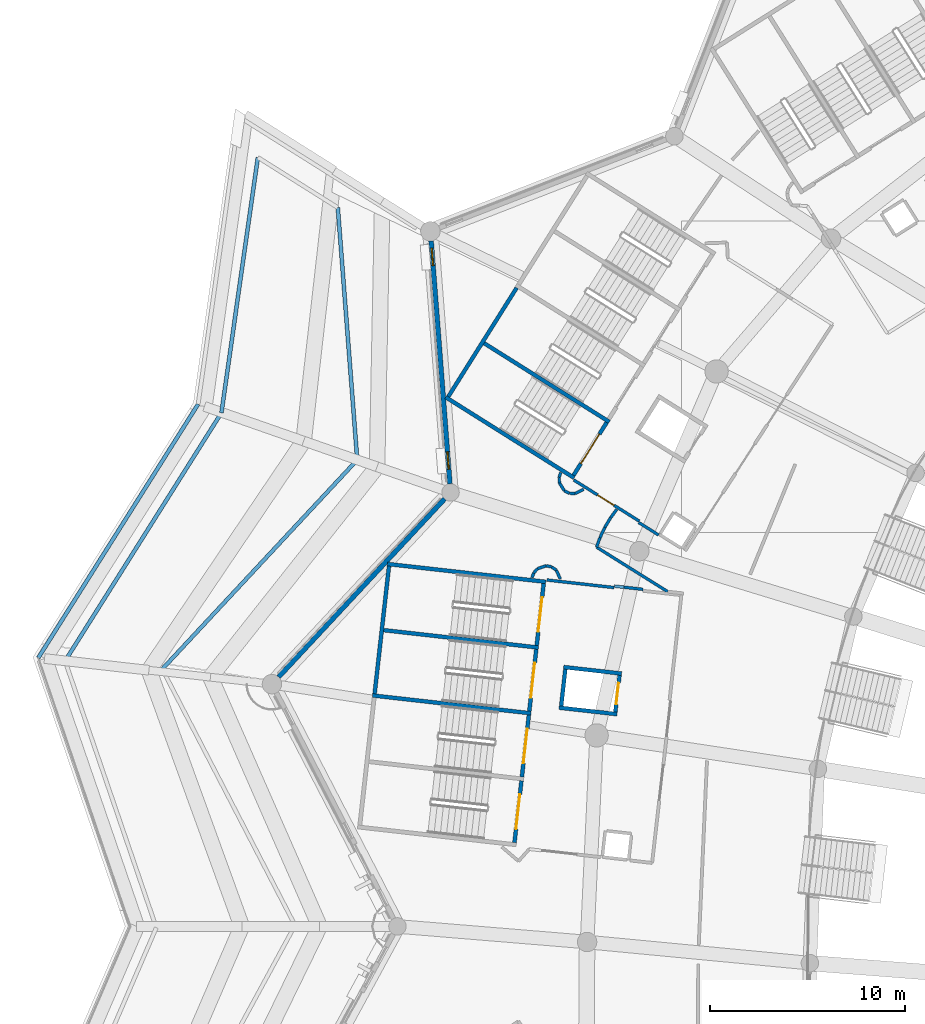
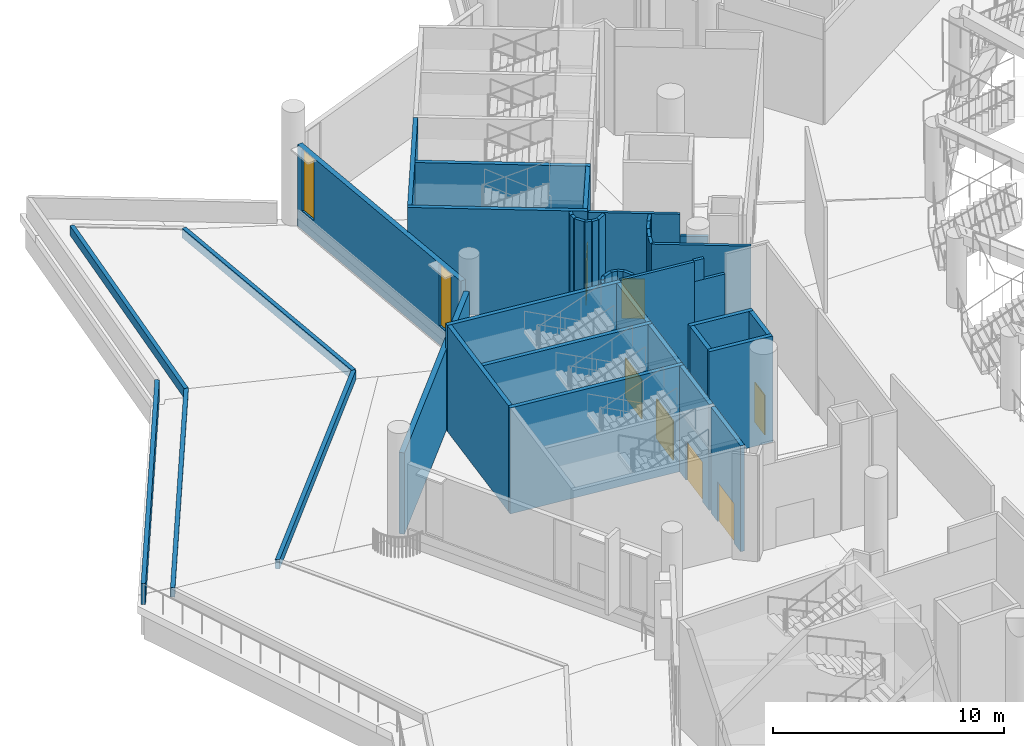
# One storey, part 63 of 173: 45 walls, 7 doors, 2 windows, 9 openings.
"""IFC4 building model written with IfcOpenShell, lengths in metres."""

from ifc_helpers import new_model, si_unit, direction, frame, frame_2d, origin, place, context, subcontext, project, spatial, rectangle, extrude, material, layer, layer_set, type_object, element, fill, save


model = new_model("IFC4")

# Units and contexts
model_context = context("Model", 3, precision=1e-05, world=origin(), true_north=direction((0.0, 1.0)))
body_context = subcontext(model_context, "Body", "Model", "MODEL_VIEW")
ifc_project = project(units=[si_unit("LENGTHUNIT", "METRE"), si_unit("AREAUNIT", "SQUARE_METRE"), si_unit("VOLUMEUNIT", "CUBIC_METRE"), si_unit("PLANEANGLEUNIT", "RADIAN"), si_unit("MASSUNIT", "GRAM", prefix="KILO")], contexts=[model_context])

# Site, building, storey
site_placement = place(None, origin())
site = spatial("IfcSite", under=ifc_project, at=site_placement, CompositionType="ELEMENT")
building_placement = place(site_placement, origin())
building = spatial("IfcBuilding", under=site, at=building_placement, Name="Meseta Stadium", CompositionType="ELEMENT")
storey_placement = place(building_placement, frame((0.0, 0.0, 18.0)))
storey = spatial("IfcBuildingStorey", under=building, at=storey_placement, Name="L03", CompositionType="ELEMENT", Elevation=18.0)

# Walls
ifc_material_1 = material(Name="Concrete C40/50", Category="concrete")
ifc_layer_1 = layer(ifc_material_1, 0.199951171875)
ifc_layer_set_1 = layer_set([ifc_layer_1], Name="Core divider wall 200")
wall_type_1 = type_object("IfcWallType", Name="Core divider wall 200", PredefinedType="SHEAR", material=ifc_layer_set_1)
wall_1_placement = place(storey_placement, frame((-90.314453125, 73.8291015625, 0.0), z_axis=(0.0, 0.0, 1.0), x_axis=(0.846722763703, -0.532034361135, 0.0)))
element("IfcWall", 1, at=wall_1_placement, inside=storey, type_object=wall_type_1, Name="Core 14 L03 stair B divider wall", PredefinedType="SHEAR", context=body_context, shape_type="SweptSolid", body=[
    extrude(rectangle(XDim=7.800048828125, YDim=0.199951171875, at=frame_2d((3.89990234375, 0.0))), origin(), (0.0, 0.0, 1.0), 5.60009765625),
])
wall_2_placement = place(storey_placement, frame((-95.503662109375, 58.999267578125, 0.0), z_axis=(0.0, 0.0, 1.0), x_axis=(0.993710792168, -0.111977058046, 0.0)))
element("IfcWall", 2, at=wall_2_placement, inside=storey, type_object=wall_type_1, Name="Core 15 L03 stair A divider wall", PredefinedType="SHEAR", context=body_context, shape_type="SweptSolid", body=[
    extrude(rectangle(XDim=8.199951171875, YDim=0.199951171875, at=frame_2d((4.10009765625, 0.0))), origin(), (0.0, 0.0, 1.0), 5.60009765625),
])
ifc_material_2 = material(Name="Concrete C40/50", Category="concrete")
ifc_layer_2 = layer(ifc_material_2, 0.199951171875)
ifc_layer_set_2 = layer_set([ifc_layer_2], Name="Core shaft wall 200")
wall_type_2 = type_object("IfcWallType", Name="Core shaft wall 200", PredefinedType="SHEAR", material=ifc_layer_set_2)
wall_3_placement = place(storey_placement, frame((-92.123291015625, 70.9501953125, 0.0), z_axis=(0.0, 0.0, 1.0), x_axis=(0.846722763703, -0.532034361135, 0.0)))
element("IfcWall", 3, at=wall_3_placement, inside=storey, type_object=wall_type_2, Name="Core 14 L03 stair wall B-side", PredefinedType="SHEAR", context=body_context, shape_type="SweptSolid", body=[
    extrude(rectangle(XDim=7.800048828125, YDim=0.199951171875, at=frame_2d((3.89990234375, 0.0))), origin(), (0.0, 0.0, 1.0), 5.60009765625),
])
wall_4_placement = place(storey_placement, frame((-88.47412109375, 76.570068359375, 0.0), z_axis=(0.0, 0.0, 1.0), x_axis=(-0.532038964807, -0.846719870989, 0.0)))
element("IfcWall", 4, at=wall_4_placement, inside=storey, type_object=wall_type_2, Name="Core 14 L03 stair B outer end wall", PredefinedType="SHEAR", context=body_context, shape_type="SweptSolid", body=[
    extrude(rectangle(XDim=6.60009765625, YDim=0.199951171875, at=frame_2d((3.300048828125, 0.0))), origin(), (0.0, 0.0, 1.0), 5.60009765625),
])

# Wall, opening, door
wall_5_placement = place(storey_placement, frame((-83.847900390625, 69.647705078125, 0.0), z_axis=(0.0, 0.0, 1.0), x_axis=(-0.532013720158, -0.846735733015, 0.0)))
wall_5 = element("IfcWall", 5, at=wall_5_placement, inside=storey, type_object=wall_type_2, Name="Core 14 L03 stair B2 inner end wall", PredefinedType="SHEAR", context=body_context, shape_type="SweptSolid", body=[
    extrude(rectangle(XDim=3.199951171875, YDim=0.199951171875, at=frame_2d((1.60009765625, 0.0))), origin(), (0.0, 0.0, 1.0), 5.60009765625),
])
opening_1_placement = place(wall_5_placement, frame((0.699951171875, 0.0, 0.0)))
opening_1 = element("IfcOpeningElement", 6, at=opening_1_placement, cuts=wall_5, Name="Opening D1312", PredefinedType="OPENING", context=body_context, shape_type="SweptSolid", body=[
    extrude(rectangle(XDim=1.800048828125, YDim=2.10009765625, at=frame_2d((0.89990234375, 1.050048828125))), frame((0.0, 0.10986328125, 0.0), z_axis=(0.0, -1.0, 0.0), x_axis=(1.0, 0.0, 0.0)), (0.0, 0.0, 1.0), 0.219970703125),
])
ifc_material_3 = material(Name="Steel", Category="steel")
door_type_1 = type_object("IfcDoorType", Name="Stair door 1800x2100", OperationType="DOUBLE_DOOR_SINGLE_SWING", PredefinedType="DOOR", material=ifc_material_3)
door_1_placement = place(opening_1_placement, origin())
door_1 = element("IfcDoor", 7, at=door_1_placement, inside=storey, type_object=door_type_1, Name="Stair B2 door 14 L03", OperationType="DOUBLE_DOOR_SINGLE_SWING", OverallHeight=2.10009765625, OverallWidth=1.800048828125, PredefinedType="DOOR", context=body_context, shape_type="SweptSolid", body=[
    extrude(rectangle(XDim=1.800048828125, YDim=2.10009765625, at=frame_2d((0.89990234375, 1.050048828125))), frame((0.0, 0.02490234375, 0.0), z_axis=(0.0, -1.0, 0.0), x_axis=(1.0, 0.0, 0.0)), (0.0, 0.0, 1.0), 0.050048828125),
])
fill(opening_1, door_1)

# Walls
wall_6_placement = place(storey_placement, frame((-95.123046875, 62.3779296875, 0.0), z_axis=(0.0, 0.0, 1.0), x_axis=(0.993710792168, -0.111977058046, 0.0)))
element("IfcWall", 8, at=wall_6_placement, inside=storey, type_object=wall_type_2, Name="Core 15 L03 stair wall A-side", PredefinedType="SHEAR", context=body_context, shape_type="SweptSolid", body=[
    extrude(rectangle(XDim=8.199951171875, YDim=0.199951171875, at=frame_2d((4.10009765625, 0.0))), origin(), (0.0, 0.0, 1.0), 5.60009765625),
])
wall_7_placement = place(storey_placement, frame((-95.884521484375, 55.62060546875, 0.0), z_axis=(0.0, 0.0, 1.0), x_axis=(0.993711165474, -0.111973745194, 0.0)))
element("IfcWall", 9, at=wall_7_placement, inside=storey, type_object=wall_type_2, Name="Core 15 L03 stair wall shared", PredefinedType="SHEAR", context=body_context, shape_type="SweptSolid", body=[
    extrude(rectangle(XDim=8.2001953125, YDim=0.199951171875, at=frame_2d((4.10009765625, 0.0))), origin(), (0.0, 0.0, 1.0), 5.60009765625),
])
wall_8_placement = place(storey_placement, frame((-95.034912109375, 62.267333984375, 0.0), z_axis=(0.0, 0.0, 1.0), x_axis=(-0.111933579504, -0.993715690617, 0.0)))
element("IfcWall", 10, at=wall_8_placement, inside=storey, type_object=wall_type_2, Name="Core 15 L03 stair A outer end wall", PredefinedType="SHEAR", context=body_context, shape_type="SweptSolid", body=[
    extrude(rectangle(XDim=6.60009765625, YDim=0.199951171875, at=frame_2d((3.300048828125, 0.0))), origin(), (0.0, 0.0, 1.0), 5.60009765625),
])

# Wall, opening, door
wall_9_placement = place(storey_placement, frame((-87.085205078125, 61.37158203125, 0.0), z_axis=(0.0, 0.0, 1.0), x_axis=(-0.11192190762, -0.993717005286, 0.0)))
wall_9 = element("IfcWall", 11, at=wall_9_placement, inside=storey, type_object=wall_type_2, Name="Core 15 L03 stair A1 inner end wall", PredefinedType="SHEAR", context=body_context, shape_type="SweptSolid", body=[
    extrude(rectangle(XDim=3.199951171875, YDim=0.199951171875, at=frame_2d((1.60009765625, 0.0))), origin(), (0.0, 0.0, 1.0), 5.60009765625),
])
opening_2_placement = place(wall_9_placement, frame((0.699951171875, 0.0, 0.0)))
opening_2 = element("IfcOpeningElement", 12, at=opening_2_placement, cuts=wall_9, Name="Opening D1299", PredefinedType="OPENING", context=body_context, shape_type="SweptSolid", body=[
    extrude(rectangle(XDim=1.800048828125, YDim=2.10009765625, at=frame_2d((0.89990234375, 1.050048828125))), frame((0.0, 0.10986328125, 0.0), z_axis=(0.0, -1.0, 0.0), x_axis=(1.0, 0.0, 0.0)), (0.0, 0.0, 1.0), 0.219970703125),
])
door_2_placement = place(opening_2_placement, origin())
door_2 = element("IfcDoor", 13, at=door_2_placement, inside=storey, type_object=door_type_1, Name="Stair A1 door 15 L03", OperationType="DOUBLE_DOOR_SINGLE_SWING", OverallHeight=2.10009765625, OverallWidth=1.800048828125, PredefinedType="DOOR", context=body_context, shape_type="SweptSolid", body=[
    extrude(rectangle(XDim=1.800048828125, YDim=2.10009765625, at=frame_2d((0.89990234375, 1.050048828125))), frame((0.0, 0.02490234375, 0.0), z_axis=(0.0, -1.0, 0.0), x_axis=(1.0, 0.0, 0.0)), (0.0, 0.0, 1.0), 0.050048828125),
])
fill(opening_2, door_2)

wall_10_placement = place(storey_placement, frame((-87.4658203125, 57.992919921875, 0.0), z_axis=(0.0, 0.0, 1.0), x_axis=(-0.111997244021, -0.993708517288, 0.0)))
wall_10 = element("IfcWall", 14, at=wall_10_placement, inside=storey, type_object=wall_type_2, Name="Core 15 L03 stair A2 inner end wall", PredefinedType="SHEAR", context=body_context, shape_type="SweptSolid", body=[
    extrude(rectangle(XDim=3.199951171875, YDim=0.199951171875, at=frame_2d((1.60009765625, 0.0))), origin(), (0.0, 0.0, 1.0), 5.60009765625),
])
opening_3_placement = place(wall_10_placement, frame((0.699951171875, 0.0, 0.0)))
opening_3 = element("IfcOpeningElement", 15, at=opening_3_placement, cuts=wall_10, Name="Opening D1297", PredefinedType="OPENING", context=body_context, shape_type="SweptSolid", body=[
    extrude(rectangle(XDim=1.800048828125, YDim=2.10009765625, at=frame_2d((0.89990234375, 1.050048828125))), frame((0.0, 0.10986328125, 0.0), z_axis=(0.0, -1.0, 0.0), x_axis=(1.0, 0.0, 0.0)), (0.0, 0.0, 1.0), 0.219970703125),
])
door_3_placement = place(opening_3_placement, origin())
door_3 = element("IfcDoor", 16, at=door_3_placement, inside=storey, type_object=door_type_1, Name="Stair A2 door 15 L03", OperationType="DOUBLE_DOOR_SINGLE_SWING", OverallHeight=2.10009765625, OverallWidth=1.800048828125, PredefinedType="DOOR", context=body_context, shape_type="SweptSolid", body=[
    extrude(rectangle(XDim=1.800048828125, YDim=2.10009765625, at=frame_2d((0.89990234375, 1.050048828125))), frame((0.0, 0.02490234375, 0.0), z_axis=(0.0, -1.0, 0.0), x_axis=(1.0, 0.0, 0.0)), (0.0, 0.0, 1.0), 0.050048828125),
])
fill(opening_3, door_3)

wall_11_placement = place(storey_placement, frame((-87.846435546875, 54.6142578125, 0.0), z_axis=(0.0, 0.0, 1.0), x_axis=(-0.112005735442, -0.993707560215, 0.0)))
wall_11 = element("IfcWall", 17, at=wall_11_placement, inside=storey, type_object=wall_type_2, Name="Core 15 L03 stair B1 inner end wall", PredefinedType="SHEAR", context=body_context, shape_type="SweptSolid", body=[
    extrude(rectangle(XDim=3.19970703125, YDim=0.199951171875, at=frame_2d((1.599853515625, 0.0))), origin(), (0.0, 0.0, 1.0), 5.60009765625),
])
opening_4_placement = place(wall_11_placement, frame((0.699951171875, 0.0, 0.0)))
opening_4 = element("IfcOpeningElement", 18, at=opening_4_placement, cuts=wall_11, Name="Opening D1296", PredefinedType="OPENING", context=body_context, shape_type="SweptSolid", body=[
    extrude(rectangle(XDim=1.800048828125, YDim=2.10009765625, at=frame_2d((0.89990234375, 1.050048828125))), frame((0.0, 0.10986328125, 0.0), z_axis=(0.0, -1.0, 0.0), x_axis=(1.0, 0.0, 0.0)), (0.0, 0.0, 1.0), 0.219970703125),
])
door_4_placement = place(opening_4_placement, origin())
door_4 = element("IfcDoor", 19, at=door_4_placement, inside=storey, type_object=door_type_1, Name="Stair B1 door 15 L03", OperationType="DOUBLE_DOOR_SINGLE_SWING", OverallHeight=2.10009765625, OverallWidth=1.800048828125, PredefinedType="DOOR", context=body_context, shape_type="SweptSolid", body=[
    extrude(rectangle(XDim=1.800048828125, YDim=2.10009765625, at=frame_2d((0.89990234375, 1.050048828125))), frame((0.0, 0.02490234375, 0.0), z_axis=(0.0, -1.0, 0.0), x_axis=(1.0, 0.0, 0.0)), (0.0, 0.0, 1.0), 0.050048828125),
])
fill(opening_4, door_4)

wall_12_placement = place(storey_placement, frame((-88.227294921875, 51.235595703125, 0.0), z_axis=(0.0, 0.0, 1.0), x_axis=(-0.111930393474, -0.993716049491, 0.0)))
wall_12 = element("IfcWall", 20, at=wall_12_placement, inside=storey, type_object=wall_type_2, Name="Core 15 L03 stair B2 inner end wall", PredefinedType="SHEAR", context=body_context, shape_type="SweptSolid", body=[
    extrude(rectangle(XDim=3.19970703125, YDim=0.199951171875, at=frame_2d((1.599853515625, 0.0))), origin(), (0.0, 0.0, 1.0), 5.60009765625),
])
opening_5_placement = place(wall_12_placement, frame((0.699951171875, 0.0, 0.0)))
opening_5 = element("IfcOpeningElement", 21, at=opening_5_placement, cuts=wall_12, Name="Opening D1295", PredefinedType="OPENING", context=body_context, shape_type="SweptSolid", body=[
    extrude(rectangle(XDim=1.800048828125, YDim=2.10009765625, at=frame_2d((0.89990234375, 1.050048828125))), frame((0.0, 0.10986328125, 0.0), z_axis=(0.0, -1.0, 0.0), x_axis=(1.0, 0.0, 0.0)), (0.0, 0.0, 1.0), 0.219970703125),
])
door_5_placement = place(opening_5_placement, origin())
door_5 = element("IfcDoor", 22, at=door_5_placement, inside=storey, type_object=door_type_1, Name="Stair B2 door 15 L03", OperationType="DOUBLE_DOOR_SINGLE_SWING", OverallHeight=2.10009765625, OverallWidth=1.800048828125, PredefinedType="DOOR", context=body_context, shape_type="SweptSolid", body=[
    extrude(rectangle(XDim=1.800048828125, YDim=2.10009765625, at=frame_2d((0.89990234375, 1.050048828125))), frame((0.0, 0.02490234375, 0.0), z_axis=(0.0, -1.0, 0.0), x_axis=(1.0, 0.0, 0.0)), (0.0, 0.0, 1.0), 0.050048828125),
])
fill(opening_5, door_5)

# Walls
for number, where, z_axis, x_axis, name in (
    (23, (-86.05908203125, 57.07958984375, 0.0), (0.0, 0.0, 1.0), (0.993718878013, -0.111905279056, 0.0), "Core 15 L03 lift shaft wall left"),
    (24, (-86.294189453125, 54.992919921875, 0.0), (0.0, 0.0, 1.0), (0.993709824566, -0.111985644439, 0.0), "Core 15 L03 lift shaft wall right"),
):
    element("IfcWall", number, at=place(storey_placement, frame(where, z_axis=z_axis, x_axis=x_axis)), inside=storey, type_object=wall_type_2, Name=name, PredefinedType="SHEAR", context=body_context, shape_type="SweptSolid", body=[
        extrude(rectangle(XDim=2.999755859375, YDim=0.199951171875, at=frame_2d((1.5, 0.0))), origin(), (0.0, 0.0, 1.0), 5.60009765625),
    ])
wall_13_placement = place(storey_placement, frame((-85.970947265625, 56.96923828125, 0.0), z_axis=(0.0, 0.0, 1.0), x_axis=(-0.112039012324, -0.993703808847, 0.0)))
element("IfcWall", 25, at=wall_13_placement, inside=storey, type_object=wall_type_2, Name="Core 15 L03 lift shaft back wall", PredefinedType="SHEAR", context=body_context, shape_type="SweptSolid", body=[
    extrude(rectangle(XDim=1.900146484375, YDim=0.199951171875, at=frame_2d((0.9501953125, 0.0))), origin(), (0.0, 0.0, 1.0), 5.60009765625),
])

# Wall, opening, door
wall_14_placement = place(storey_placement, frame((-83.188720703125, 56.65576171875, 0.0), z_axis=(0.0, 0.0, 1.0), x_axis=(-0.11191213732, -0.993718105662, 0.0)))
wall_14 = element("IfcWall", 26, at=wall_14_placement, inside=storey, type_object=wall_type_2, Name="Core 15 L03 lift shaft front wall", PredefinedType="SHEAR", context=body_context, shape_type="SweptSolid", body=[
    extrude(rectangle(XDim=1.900146484375, YDim=0.199951171875, at=frame_2d((0.9501953125, 0.0))), origin(), (0.0, 0.0, 1.0), 5.60009765625),
])
opening_6_placement = place(wall_14_placement, frame((0.39990234375, 0.0, 0.0)))
opening_6 = element("IfcOpeningElement", 27, at=opening_6_placement, cuts=wall_14, Name="Opening LD83", PredefinedType="OPENING", context=body_context, shape_type="SweptSolid", body=[
    extrude(rectangle(XDim=1.10009765625, YDim=2.10009765625, at=frame_2d((0.550048828125, 1.050048828125))), frame((0.0, 0.10986328125, 0.0), z_axis=(0.0, -1.0, 0.0), x_axis=(1.0, 0.0, 0.0)), (0.0, 0.0, 1.0), 0.219970703125),
])
ifc_material_4 = material(Name="Steel", Category="steel")
door_type_2 = type_object("IfcDoorType", Name="Lift landing door 1100x2100", OperationType="SLIDING_TO_LEFT", PredefinedType="DOOR", material=ifc_material_4)
door_6_placement = place(opening_6_placement, origin())
door_6 = element("IfcDoor", 28, at=door_6_placement, inside=storey, type_object=door_type_2, Name="Lift landing door LD83", OperationType="SLIDING_TO_LEFT", OverallHeight=2.10009765625, OverallWidth=1.10009765625, PredefinedType="DOOR", context=body_context, shape_type="SweptSolid", body=[
    extrude(rectangle(XDim=1.10009765625, YDim=2.10009765625, at=frame_2d((0.550048828125, 1.050048828125))), frame((0.0, 0.02490234375, 0.0), z_axis=(0.0, -1.0, 0.0), x_axis=(1.0, 0.0, 0.0)), (0.0, 0.0, 1.0), 0.050048828125),
])
fill(opening_6, door_6)

ifc_material_5 = material(Name="Masonry blockwork", Category="masonry")
ifc_layer_3 = layer(ifc_material_5, 0.14990234375)
ifc_layer_set_3 = layer_set([ifc_layer_3], Name="Partition 150")
wall_type_3 = type_object("IfcWallType", Name="Partition 150", PredefinedType="PARTITIONING", material=ifc_layer_set_3)
wall_15_placement = place(storey_placement, frame((-85.5380859375, 66.694580078125, 0.0), z_axis=(0.0, 0.0, 1.0), x_axis=(0.84671635408, -0.532044561793, 0.0)))
wall_15 = element("IfcWall", 29, at=wall_15_placement, inside=storey, type_object=wall_type_3, Name="Partition L03 L03-cell13-1-0", PredefinedType="PARTITIONING", context=body_context, shape_type="SweptSolid", body=[
    extrude(rectangle(XDim=3.97705078125, YDim=0.14990234375, at=frame_2d((1.988525390625, 0.0))), origin(), (0.0, 0.0, 1.0), 5.60009765625),
])
opening_7_placement = place(wall_15_placement, frame((1.449951171875, 0.0, 0.0)))
opening_7 = element("IfcOpeningElement", 30, at=opening_7_placement, cuts=wall_15, Name="Opening D1314", PredefinedType="OPENING", context=body_context, shape_type="SweptSolid", body=[
    extrude(rectangle(XDim=1.0, YDim=2.10009765625, at=frame_2d((0.5, 1.050048828125))), frame((0.0, 0.0849609375, 0.0), z_axis=(0.0, -1.0, 0.0), x_axis=(1.0, 0.0, 0.0)), (0.0, 0.0, 1.0), 0.169921875),
])
ifc_material_6 = material(Name="Steel", Category="steel")
door_type_3 = type_object("IfcDoorType", Name="Fire door 1000x2100 EI2 60", OperationType="NOTDEFINED", PredefinedType="DOOR", material=ifc_material_6)
door_7_placement = place(opening_7_placement, origin())
door_7 = element("IfcDoor", 31, at=door_7_placement, inside=storey, type_object=door_type_3, Name="Room door L03 L03-cell13-1-0", OperationType="SINGLE_SWING_RIGHT", OverallHeight=2.10009765625, OverallWidth=1.0, PredefinedType="DOOR", context=body_context, shape_type="SweptSolid", body=[
    extrude(rectangle(XDim=1.0, YDim=2.10009765625, at=frame_2d((0.5, 1.050048828125))), frame((0.0, 0.02490234375, 0.0), z_axis=(0.0, -1.0, 0.0), x_axis=(1.0, 0.0, 0.0)), (0.0, 0.0, 1.0), 0.050048828125),
])
fill(opening_7, door_7)

# Walls
wall_16_placement = place(storey_placement, frame((-83.465576171875, 61.1650390625, 0.0), z_axis=(0.0, 0.0, 1.0), x_axis=(-0.993711425552, 0.111971437107, 0.0)))
element("IfcWall", 32, at=wall_16_placement, inside=storey, type_object=wall_type_3, Name="Partition L03 L03-cell13-1-0", PredefinedType="PARTITIONING", context=body_context, shape_type="SweptSolid", body=[
    extrude(rectangle(XDim=3.47998046875, YDim=0.14990234375, at=frame_2d((1.739990234375, 0.0))), origin(), (0.0, 0.0, 1.0), 5.60009765625),
])
wall_17_placement = place(storey_placement, frame((-80.710693359375, 60.955078125, 0.0), z_axis=(0.0, 0.0, 1.0), x_axis=(-0.847794699095, 0.530324568718, 0.0)))
element("IfcWall", 33, at=wall_17_placement, inside=storey, type_object=wall_type_3, Name="Partition L03 lobby26-0 link", PredefinedType="PARTITIONING", context=body_context, shape_type="SweptSolid", body=[
    extrude(rectangle(XDim=4.312744140625, YDim=0.14990234375, at=frame_2d((2.15625, 0.0))), origin(), (0.0, 0.0, 1.0), 5.60009765625),
])
wall_18_placement = place(storey_placement, frame((-84.366943359375, 63.2421875, 0.0), z_axis=(0.0, 0.0, 1.0), x_axis=(0.336999681797, 0.941504760726, 0.0)))
element("IfcWall", 34, at=wall_18_placement, inside=storey, type_object=wall_type_3, Name="Partition L03 lobby26-0 link", PredefinedType="PARTITIONING", context=body_context, shape_type="SweptSolid", body=[
    extrude(rectangle(XDim=0.512939453125, YDim=0.14990234375, at=frame_2d((0.25634765625, 0.0))), origin(), (0.0, 0.0, 1.0), 5.60009765625),
])
for number, where, z_axis, x_axis, name in (
    (35, (-84.194091796875, 63.72509765625, 0.0), (0.0, 0.0, 1.0), (0.427533672596, 0.903999424113, 0.0), "Partition L03 lobby26-0 link"),
    (36, (-83.9423828125, 64.25732421875, 0.0), (0.0, 0.0, 1.0), (0.514068926708, 0.857748878515, 0.0), "Partition L03 lobby26-0 link"),
):
    element("IfcWall", number, at=place(storey_placement, frame(where, z_axis=z_axis, x_axis=x_axis)), inside=storey, type_object=wall_type_3, Name=name, PredefinedType="PARTITIONING", context=body_context, shape_type="SweptSolid", body=[
        extrude(rectangle(XDim=0.5888671875, YDim=0.14990234375, at=frame_2d((0.29443359375, 0.0))), origin(), (0.0, 0.0, 1.0), 5.60009765625),
    ])
wall_19_placement = place(storey_placement, frame((-83.6396484375, 64.762451171875, 0.0), z_axis=(0.0, 0.0, 1.0), x_axis=(0.595769872716, 0.803155189714, 0.0)))
element("IfcWall", 37, at=wall_19_placement, inside=storey, type_object=wall_type_3, Name="Partition L03 lobby26-0 link", PredefinedType="PARTITIONING", context=body_context, shape_type="SweptSolid", body=[
    extrude(rectangle(XDim=0.52734375, YDim=0.14990234375, at=frame_2d((0.263671875, 0.0))), origin(), (0.0, 0.0, 1.0), 5.60009765625),
])
wall_20_placement = place(storey_placement, frame((-86.205078125, 67.080078125, 0.0), z_axis=(0.0, 0.0, 1.0), x_axis=(-0.322191523859, -0.946674506868, 0.0)))
element("IfcWall", 38, at=wall_20_placement, inside=storey, type_object=wall_type_3, Name="Stair vestibule wall L03 core 14", PredefinedType="PARTITIONING", context=body_context, shape_type="SweptSolid", body=[
    extrude(rectangle(XDim=0.257568359375, YDim=0.14990234375, at=frame_2d((0.12890625, 0.0))), origin(), (0.0, 0.0, 1.0), 5.60009765625),
])
wall_21_placement = place(storey_placement, frame((-86.2880859375, 66.836181640625, 0.0), z_axis=(0.0, 0.0, 1.0), x_axis=(0.027108677756, -0.999632492264, 0.0)))
element("IfcWall", 39, at=wall_21_placement, inside=storey, type_object=wall_type_3, Name="Stair vestibule wall L03 core 14", PredefinedType="PARTITIONING", context=body_context, shape_type="SweptSolid", body=[
    extrude(rectangle(XDim=0.2880859375, YDim=0.14990234375, at=frame_2d((0.14404296875, 0.0))), origin(), (0.0, 0.0, 1.0), 5.60009765625),
])
wall_22_placement = place(storey_placement, frame((-86.2802734375, 66.548095703125, 0.0), z_axis=(0.0, 0.0, 1.0), x_axis=(0.538489767729, -0.842632049029, 0.0)))
element("IfcWall", 40, at=wall_22_placement, inside=storey, type_object=wall_type_3, Name="Stair vestibule wall L03 core 14", PredefinedType="PARTITIONING", context=body_context, shape_type="SweptSolid", body=[
    extrude(rectangle(XDim=0.479248046875, YDim=0.14990234375, at=frame_2d((0.23974609375, 0.0))), origin(), (0.0, 0.0, 1.0), 5.60009765625),
])
wall_23_placement = place(storey_placement, frame((-86.022216796875, 66.144287109375, 0.0), z_axis=(0.0, 0.0, 1.0), x_axis=(0.894427191, -0.4472135955, 0.0)))
element("IfcWall", 41, at=wall_23_placement, inside=storey, type_object=wall_type_3, Name="Stair vestibule wall L03 core 14", PredefinedType="PARTITIONING", context=body_context, shape_type="SweptSolid", body=[
    extrude(rectangle(XDim=0.289306640625, YDim=0.14990234375, at=frame_2d((0.14453125, 0.0))), origin(), (0.0, 0.0, 1.0), 5.60009765625),
])
wall_24_placement = place(storey_placement, frame((-85.763427734375, 66.014892578125, 0.0), z_axis=(0.0, 0.0, 1.0), x_axis=(0.997547794052, -0.06998856036, 0.0)))
element("IfcWall", 42, at=wall_24_placement, inside=storey, type_object=wall_type_3, Name="Stair vestibule wall L03 core 14", PredefinedType="PARTITIONING", context=body_context, shape_type="SweptSolid", body=[
    extrude(rectangle(XDim=0.28955078125, YDim=0.14990234375, at=frame_2d((0.144775390625, 0.0))), origin(), (0.0, 0.0, 1.0), 5.60009765625),
])
wall_25_placement = place(storey_placement, frame((-85.474609375, 65.99462890625, 0.0), z_axis=(0.0, 0.0, 1.0), x_axis=(0.890886791294, 0.45422541221, 0.0)))
element("IfcWall", 43, at=wall_25_placement, inside=storey, type_object=wall_type_3, Name="Stair vestibule wall L03 core 14", PredefinedType="PARTITIONING", context=body_context, shape_type="SweptSolid", body=[
    extrude(rectangle(XDim=0.50048828125, YDim=0.14990234375, at=frame_2d((0.250244140625, 0.0))), origin(), (0.0, 0.0, 1.0), 5.60009765625),
])
wall_26_placement = place(storey_placement, frame((-82.2021484375, 64.509765625, 0.0), z_axis=(0.0, 0.0, 1.0), x_axis=(0.846706511271, -0.532060225699, 0.0)))
element("IfcWall", 44, at=wall_26_placement, inside=storey, type_object=wall_type_3, Name="Stair vestibule wall L03 core 14", PredefinedType="PARTITIONING", context=body_context, shape_type="SweptSolid", body=[
    extrude(rectangle(XDim=1.212646484375, YDim=0.14990234375, at=frame_2d((0.6064453125, 0.0))), origin(), (0.0, 0.0, 1.0), 4.5),
])
wall_27_placement = place(storey_placement, frame((-81.985107421875, 61.073486328125, 0.0), z_axis=(0.0, 0.0, 1.0), x_axis=(-0.993708484681, 0.111997533338, 0.0)))
element("IfcWall", 45, at=wall_27_placement, inside=storey, type_object=wall_type_3, Name="Stair vestibule wall L03 core 15", PredefinedType="PARTITIONING", context=body_context, shape_type="SweptSolid", body=[
    extrude(rectangle(XDim=1.471435546875, YDim=0.14990234375, at=frame_2d((0.73583984375, 0.0))), origin(), (0.0, 0.0, 1.0), 4.5),
])
wall_28_placement = place(storey_placement, frame((-82.959716796875, 61.18359375, 4.5), z_axis=(0.0, 0.0, 1.0), x_axis=(-0.993767888304, 0.111469207301, 0.0)))
element("IfcWall", 46, at=wall_28_placement, inside=storey, type_object=wall_type_3, Name="Stair vestibule wall L03 core 15", PredefinedType="PARTITIONING", context=body_context, shape_type="SweptSolid", body=[
    extrude(rectangle(XDim=0.49072265625, YDim=0.14990234375, at=frame_2d((0.245361328125, 0.0))), origin(), (0.0, 0.0, 1.0), 1.10009765625),
])
wall_29_placement = place(storey_placement, frame((-86.230712890625, 61.6064453125, 0.0), z_axis=(0.0, 0.0, 1.0), x_axis=(-0.413545730988, 0.910483348767, 0.0)))
element("IfcWall", 47, at=wall_29_placement, inside=storey, type_object=wall_type_3, Name="Stair vestibule wall L03 core 15", PredefinedType="PARTITIONING", context=body_context, shape_type="SweptSolid", body=[
    extrude(rectangle(XDim=0.500732421875, YDim=0.14990234375, at=frame_2d((0.25048828125, 0.0))), origin(), (0.0, 0.0, 1.0), 5.60009765625),
])
wall_30_placement = place(storey_placement, frame((-86.437744140625, 62.062255859375, 0.0), z_axis=(0.0, 0.0, 1.0), x_axis=(-0.823647755069, 0.567101732998, 0.0)))
element("IfcWall", 48, at=wall_30_placement, inside=storey, type_object=wall_type_3, Name="Stair vestibule wall L03 core 15", PredefinedType="PARTITIONING", context=body_context, shape_type="SweptSolid", body=[
    extrude(rectangle(XDim=0.289306640625, YDim=0.14990234375, at=frame_2d((0.14453125, 0.0))), origin(), (0.0, 0.0, 1.0), 5.60009765625),
])
wall_31_placement = place(storey_placement, frame((-86.676025390625, 62.226318359375, 0.0), z_axis=(0.0, 0.0, 1.0), x_axis=(-0.97799972908, 0.20860615983, 0.0)))
element("IfcWall", 49, at=wall_31_placement, inside=storey, type_object=wall_type_3, Name="Stair vestibule wall L03 core 15", PredefinedType="PARTITIONING", context=body_context, shape_type="SweptSolid", body=[
    extrude(rectangle(XDim=0.2890625, YDim=0.14990234375, at=frame_2d((0.14453125, 0.0))), origin(), (0.0, 0.0, 1.0), 5.60009765625),
])
wall_32_placement = place(storey_placement, frame((-86.958740234375, 62.28662109375, 0.0), z_axis=(0.0, 0.0, 1.0), x_axis=(-0.946315679365, -0.323243924904, 0.0)))
element("IfcWall", 50, at=wall_32_placement, inside=storey, type_object=wall_type_3, Name="Stair vestibule wall L03 core 15", PredefinedType="PARTITIONING", context=body_context, shape_type="SweptSolid", body=[
    extrude(rectangle(XDim=0.4794921875, YDim=0.14990234375, at=frame_2d((0.23974609375, 0.0))), origin(), (0.0, 0.0, 1.0), 5.60009765625),
])
wall_33_placement = place(storey_placement, frame((-87.41259765625, 62.131591796875, 0.0), z_axis=(0.0, 0.0, 1.0), x_axis=(-0.645257808193, -0.763964895114, 0.0)))
element("IfcWall", 51, at=wall_33_placement, inside=storey, type_object=wall_type_3, Name="Stair vestibule wall L03 core 15", PredefinedType="PARTITIONING", context=body_context, shape_type="SweptSolid", body=[
    extrude(rectangle(XDim=0.287841796875, YDim=0.14990234375, at=frame_2d((0.14404296875, 0.0))), origin(), (0.0, 0.0, 1.0), 5.60009765625),
])
wall_34_placement = place(storey_placement, frame((-87.598388671875, 61.91162109375, 0.0), z_axis=(0.0, 0.0, 1.0), x_axis=(-0.337477145114, -0.941333722187, 0.0)))
element("IfcWall", 52, at=wall_34_placement, inside=storey, type_object=wall_type_3, Name="Stair vestibule wall L03 core 15", PredefinedType="PARTITIONING", context=body_context, shape_type="SweptSolid", body=[
    extrude(rectangle(XDim=0.257568359375, YDim=0.14990234375, at=frame_2d((0.12890625, 0.0))), origin(), (0.0, 0.0, 1.0), 5.60009765625),
])
ifc_material_7 = material(Name="Precast concrete C40/50", Category="concrete")
ifc_layer_4 = layer(ifc_material_7, 0.199951171875)
ifc_layer_set_4 = layer_set([ifc_layer_4], Name="Planter kerb 200")
wall_type_4 = type_object("IfcWallType", Name="Planter kerb 200", PredefinedType="USERDEFINED", material=ifc_layer_set_4)
wall_35_placement = place(storey_placement, frame((-111.68310546875, 57.393798828125, 0.0), z_axis=(0.0, 0.0, 1.0), x_axis=(0.533106644423, 0.846048051633, 0.0)))
element("IfcWall", 53, at=wall_35_placement, inside=storey, type_object=wall_type_4, Name="Planter kerb 4.1.2", ObjectType="PLANTER", PredefinedType="USERDEFINED", context=body_context, shape_type="SweptSolid", body=[
    extrude(rectangle(XDim=15.0732421875, YDim=0.199951171875, at=frame_2d((7.53662109375, 0.0))), origin(), (0.0, 0.0, 1.0), 0.5),
])
wall_36_placement = place(storey_placement, frame((-103.6474609375, 70.146484375, 0.0), z_axis=(0.0, 0.0, 1.0), x_axis=(0.141310516353, 0.989965321599, 0.0)))
element("IfcWall", 54, at=wall_36_placement, inside=storey, type_object=wall_type_4, Name="Planter kerb 4.1.3", ObjectType="PLANTER", PredefinedType="USERDEFINED", context=body_context, shape_type="SweptSolid", body=[
    extrude(rectangle(XDim=13.260009765625, YDim=0.199951171875, at=frame_2d((6.6298828125, 0.0))), origin(), (0.0, 0.0, 1.0), 0.5),
])
wall_37_placement = place(storey_placement, frame((-97.666259765625, 80.692626953125, 0.0), z_axis=(0.0, 0.0, 1.0), x_axis=(0.076927669723, -0.997036676171, 0.0)))
element("IfcWall", 55, at=wall_37_placement, inside=storey, type_object=wall_type_4, Name="Planter kerb 4.1.5", ObjectType="PLANTER", PredefinedType="USERDEFINED", context=body_context, shape_type="SweptSolid", body=[
    extrude(rectangle(XDim=13.00244140625, YDim=0.199951171875, at=frame_2d((6.501220703125, 0.0))), origin(), (0.0, 0.0, 1.0), 0.5),
])
wall_38_placement = place(storey_placement, frame((-96.666015625, 67.728759765625, 0.0), z_axis=(0.0, 0.0, 1.0), x_axis=(-0.681799134681, -0.731539431574, 0.0)))
element("IfcWall", 56, at=wall_38_placement, inside=storey, type_object=wall_type_4, Name="Planter kerb 4.1.6", ObjectType="PLANTER", PredefinedType="USERDEFINED", context=body_context, shape_type="SweptSolid", body=[
    extrude(rectangle(XDim=14.700439453125, YDim=0.199951171875, at=frame_2d((7.35009765625, 0.0))), origin(), (0.0, 0.0, 1.0), 0.5),
])

# Wall, openings, windows
ifc_material_8 = material(Name="White precast concrete C40/50", Category="concrete")
ifc_layer_5 = layer(ifc_material_8, 0.25)
ifc_layer_set_5 = layer_set([ifc_layer_5], Name="Pleated panel wall 250")
wall_type_5 = type_object("IfcWallType", Name="Pleated panel wall 250", PredefinedType="SOLIDWALL", material=ifc_layer_set_5)
wall_39_placement = place(storey_placement, frame((-91.9072265625, 66.499755859375, 0.0), z_axis=(0.0, 0.0, 1.0), x_axis=(-0.076945644854, 0.997035289114, 0.0)))
wall_39 = element("IfcWall", 57, at=wall_39_placement, inside=storey, type_object=wall_type_5, Name="Pleated facade panel L03 F26", PredefinedType="SOLIDWALL", context=body_context, shape_type="SweptSolid", body=[
    extrude(rectangle(XDim=12.513916015625, YDim=0.25, at=frame_2d((6.2568359375, 0.0))), origin(), (0.0, 0.0, 1.0), 4.300048828125),
])
opening_8_placement = place(wall_39_placement, frame((0.75048828125, 0.0, 1.0)))
opening_8 = element("IfcOpeningElement", 58, at=opening_8_placement, cuts=wall_39, Name="Opening W073", PredefinedType="OPENING", context=body_context, shape_type="SweptSolid", body=[
    extrude(rectangle(XDim=0.89990234375, YDim=3.25, at=frame_2d((0.449951171875, 1.625))), frame((0.0, 0.135009765625, 0.0), z_axis=(0.0, -1.0, 0.0), x_axis=(1.0, 0.0, 0.0)), (0.0, 0.0, 1.0), 0.27001953125),
])
opening_9_placement = place(wall_39_placement, frame((11.25048828125, 0.0, 1.0)))
opening_9 = element("IfcOpeningElement", 59, at=opening_9_placement, cuts=wall_39, Name="Opening W072", PredefinedType="OPENING", context=body_context, shape_type="SweptSolid", body=[
    extrude(rectangle(XDim=0.89990234375, YDim=3.25, at=frame_2d((0.449951171875, 1.625))), frame((0.0, 0.135009765625, 0.0), z_axis=(0.0, -1.0, 0.0), x_axis=(1.0, 0.0, 0.0)), (0.0, 0.0, 1.0), 0.27001953125),
])
ifc_material_9 = material(Name="Aluminium", Category="aluminium")
window_type = type_object("IfcWindowType", Name="Slot window 900x3250", PartitioningType="SINGLE_PANEL", PredefinedType="WINDOW", material=ifc_material_9)
window_1_placement = place(opening_8_placement, origin())
window_1 = element("IfcWindow", 60, at=window_1_placement, inside=storey, type_object=window_type, Name="Slot window L03 F26.1", OverallHeight=3.25, OverallWidth=0.89990234375, PartitioningType="SINGLE_PANEL", PredefinedType="WINDOW", context=body_context, shape_type="SweptSolid", body=[
    extrude(rectangle(XDim=0.89990234375, YDim=3.25, at=frame_2d((0.449951171875, 1.625))), frame((0.0, 0.030029296875, 0.0), z_axis=(0.0, -1.0, 0.0), x_axis=(1.0, 0.0, 0.0)), (0.0, 0.0, 1.0), 0.06005859375),
])
fill(opening_8, window_1)
window_2_placement = place(opening_9_placement, origin())
window_2 = element("IfcWindow", 61, at=window_2_placement, inside=storey, type_object=window_type, Name="Slot window L03 F26.6", OverallHeight=3.25, OverallWidth=0.89990234375, PartitioningType="SINGLE_PANEL", PredefinedType="WINDOW", context=body_context, shape_type="SweptSolid", body=[
    extrude(rectangle(XDim=0.89990234375, YDim=3.25, at=frame_2d((0.449951171875, 1.625))), frame((0.0, 0.030029296875, 0.0), z_axis=(0.0, -1.0, 0.0), x_axis=(1.0, 0.0, 0.0)), (0.0, 0.0, 1.0), 0.06005859375),
])
fill(opening_9, window_2)

# Walls
wall_40_placement = place(storey_placement, frame((-100.711181640625, 56.568115234375, 0.0), z_axis=(0.0, 0.0, 1.0), x_axis=(0.681794658463, 0.731543603411, 0.0)))
element("IfcWall", 62, at=wall_40_placement, inside=storey, type_object=wall_type_5, Name="Pleated facade panel L03 F27", PredefinedType="SOLIDWALL", context=body_context, shape_type="SweptSolid", body=[
    extrude(rectangle(XDim=12.513916015625, YDim=0.25, at=frame_2d((6.2568359375, 0.0))), origin(), (0.0, 0.0, 1.0), 4.300048828125),
])
ifc_material_10 = material(Name="Concrete C40/50", Category="concrete")
ifc_layer_6 = layer(ifc_material_10, 0.199951171875)
ifc_layer_set_6 = layer_set([ifc_layer_6], Name="Roof parapet 200")
wall_type_6 = type_object("IfcWallType", Name="Roof parapet 200", PredefinedType="PARAPET", material=ifc_layer_set_6)
wall_41_placement = place(storey_placement, frame((-113.059326171875, 57.5546875, 0.0), z_axis=(0.0, 0.0, 1.0), x_axis=(0.533109586611, 0.846046197712, 0.0)))
element("IfcWall", 63, at=wall_41_placement, inside=storey, type_object=wall_type_6, Name="Roof parapet 4.22.1", PredefinedType="PARAPET", context=body_context, shape_type="SweptSolid", body=[
    extrude(rectangle(XDim=15.404296875, YDim=0.199951171875, at=frame_2d((7.7021484375, 0.0))), origin(), (0.0, 0.0, 1.0), 1.10009765625),
])

save(model, "model.ifc")
